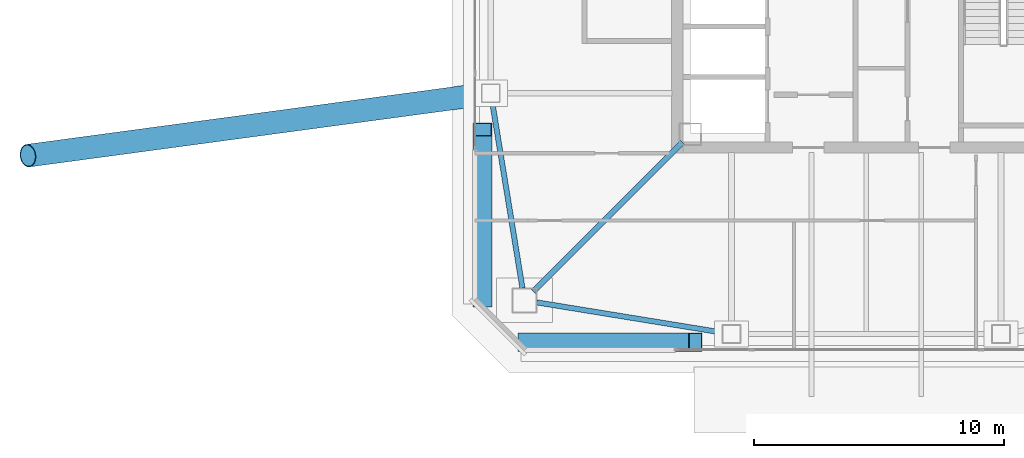
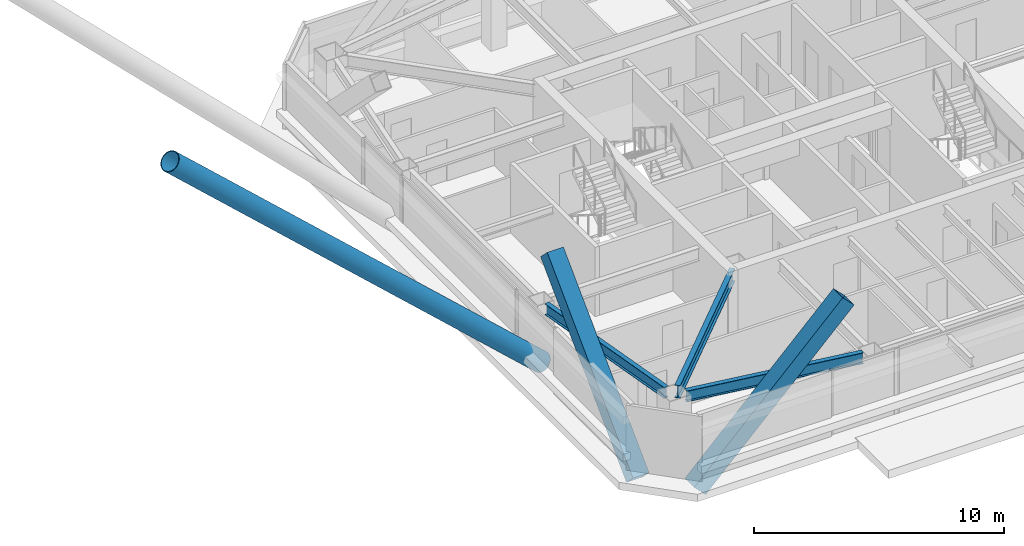
# One storey, part 3 of 39: 3 beams, 3 members.
"""IFC4 building model written with IfcOpenShell, lengths in metres."""

from ifc_helpers import new_model, si_unit, direction, frame, origin, origin_2d, place, context, subcontext, project, spatial, hollow_rectangle, hollow_circle, i_section, extrude, material, material_profile, profile_set, type_object, element, save


model = new_model("IFC4")

# Units and contexts
model_context = context("Model", 3, precision=1e-05, world=origin(), true_north=direction((0.0, 1.0)))
body_context = subcontext(model_context, "Body", "Model", "MODEL_VIEW")
ifc_project = project(units=[si_unit("LENGTHUNIT", "METRE"), si_unit("AREAUNIT", "SQUARE_METRE"), si_unit("VOLUMEUNIT", "CUBIC_METRE"), si_unit("PLANEANGLEUNIT", "RADIAN"), si_unit("MASSUNIT", "GRAM", prefix="KILO")], contexts=[model_context])

# Site, building, storey
site_placement = place(None, origin())
site = spatial("IfcSite", under=ifc_project, at=site_placement, CompositionType="ELEMENT")
building_placement = place(site_placement, origin())
building = spatial("IfcBuilding", under=site, at=building_placement, Name="Tashvorn Skyway Center", CompositionType="ELEMENT")
storey_placement = place(building_placement, frame((0.0, 0.0, 232.60009765625)))
storey = spatial("IfcBuildingStorey", under=building, at=storey_placement, Name="L63", CompositionType="ELEMENT", Elevation=232.60009765625)

# Beams
ifc_material_1 = material(Name="Steel ASTM A992 Grade 50", Category="steel")
ifc_material_profile_1 = material_profile(ifc_material_1, i_section(OverallWidth=0.22998046875, OverallDepth=0.616943359375, WebThickness=0.01318359375, FlangeThickness=0.022216796875, at=origin_2d()), Name="W24X94")
ifc_profile_set_1 = profile_set([ifc_material_profile_1], Name="Steel ASTM A992 Grade 50")
beam_type_1 = type_object("IfcBeamType", Name="BM-BEAM-W24X94", PredefinedType="BEAM", material=ifc_profile_set_1)
beam_placement = place(storey_placement, frame((28.64990234375, 18.64990234375, 3.0615234375), z_axis=(0.707106781187, 0.707106781187, 0.0), x_axis=(-0.707106781187, 0.707106781187, 0.0)))
element("IfcBeam", 1, at=beam_placement, inside=storey, type_object=beam_type_1, Name="Tower 1 L63 Primary Floor Girder MC-SW", PredefinedType="BEAM", context=body_context, shape_type="SweptSolid", body=[
    extrude(i_section(OverallWidth=0.22998046875, OverallDepth=0.616943359375, WebThickness=0.01318359375, FlangeThickness=0.022216796875, at=origin_2d()), origin(), (0.0, 0.0, 1.0), 8.464599609375),
])
ifc_material_profile_2 = material_profile(ifc_material_1, i_section(OverallWidth=0.2109375, OverallDepth=0.5390625, WebThickness=0.01171875, FlangeThickness=0.018798828125, at=origin_2d()), Name="W21X73")
ifc_profile_set_2 = profile_set([ifc_material_profile_2], Name="Steel ASTM A992 Grade 50")
beam_type_2 = type_object("IfcBeamType", Name="BM-SPANDREL-W21X73", PredefinedType="SPANDREL", material=ifc_profile_set_2)
for number, where, z_axis, x_axis, name in (
    (2, (28.78857421875, 18.220458984375, 3.100341796875), (0.987033514444, -0.160514302677, 0.0), (0.160514302677, 0.987033514444, 0.0), "Tower 1 L63 Spandrel Beam 01"),
    (3, (27.009521484375, 26.23486328125, 3.100341796875), (0.160514302677, -0.987033514444, 0.0), (0.987033514444, 0.160514302677, 0.0), "Tower 1 L63 Spandrel Beam 12"),
):
    element("IfcBeam", number, at=place(storey_placement, frame(where, z_axis=z_axis, x_axis=x_axis)), inside=storey, type_object=beam_type_2, Name=name, PredefinedType="SPANDREL", context=body_context, shape_type="SweptSolid", body=[
        extrude(i_section(OverallWidth=0.2109375, OverallDepth=0.5390625, WebThickness=0.01171875, FlangeThickness=0.018798828125, at=origin_2d()), origin(), (0.0, 0.0, 1.0), 7.544189453125),
    ])

# Members
ifc_material_2 = material(Name="Steel ASTM A572 Grade 50", Category="steel")
ifc_material_profile_3 = material_profile(ifc_material_2, hollow_rectangle(XDim=0.75, YDim=0.75, WallThickness=0.031982421875, at=origin_2d()), Name="BOX750x750x32")
ifc_profile_set_3 = profile_set([ifc_material_profile_3], Name="Steel ASTM A572 Grade 50")
member_type_1 = type_object("IfcMemberType", Name="MEM-MB-750", PredefinedType="BRACE", material=ifc_profile_set_3)
for number, where, z_axis, x_axis, name in (
    (4, (28.300048828125, 16.6201171875, -0.2001953125), (0.707094180045, 0.0, 0.707119382104), (0.0, 1.0, 0.0), "Tower 1 Zone 6 S Chevron Mega-Brace L1"),
    (5, (26.6201171875, 18.300048828125, -0.2001953125), (0.0, 0.707094180045, 0.707119382104), (-1.0, 0.0, 0.0), "Tower 1 Zone 6 W Chevron Mega-Brace R1"),
):
    element("IfcMember", number, at=place(storey_placement, frame(where, z_axis=z_axis, x_axis=x_axis)), inside=storey, type_object=member_type_1, Name=name, PredefinedType="BRACE", context=body_context, shape_type="SweptSolid", body=[
        extrude(hollow_rectangle(XDim=0.75, YDim=0.75, WallThickness=0.031982421875, at=origin_2d()), origin(), (0.0, 0.0, 1.0), 9.687255859375),
    ])
ifc_material_profile_4 = material_profile(ifc_material_2, hollow_circle(Radius=0.45703125, WallThickness=0.031982421875, at=origin_2d()), Name="CHS914x32")
ifc_profile_set_4 = profile_set([ifc_material_profile_4], Name="Steel ASTM A572 Grade 50")
member_type_2 = type_object("IfcMemberType", Name="MEM-MS-914", PredefinedType="STRUT", material=ifc_profile_set_4)
member_placement = place(storey_placement, frame((26.949951171875, 26.60009765625, 0.2998046875), z_axis=(-0.718641844934, -0.096851745728, 0.688602670674), x_axis=(0.133563033882, -0.991040320058, 0.0)))
element("IfcMember", 6, at=member_placement, inside=storey, type_object=member_type_2, Name="Sky-Park West Secondary Stabilizer Strut 1", PredefinedType="STRUT", context=body_context, shape_type="SweptSolid", body=[
    extrude(hollow_circle(Radius=0.45703125, WallThickness=0.031982421875, at=origin_2d()), origin(), (0.0, 0.0, 1.0), 25.812744140625),
])

save(model, "model.ifc")
